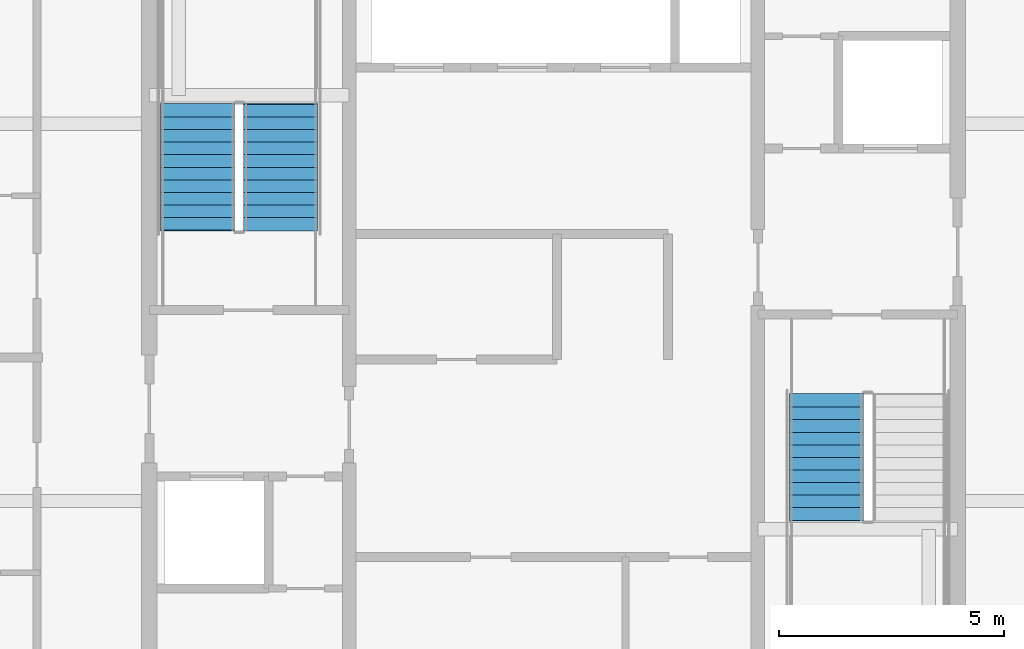
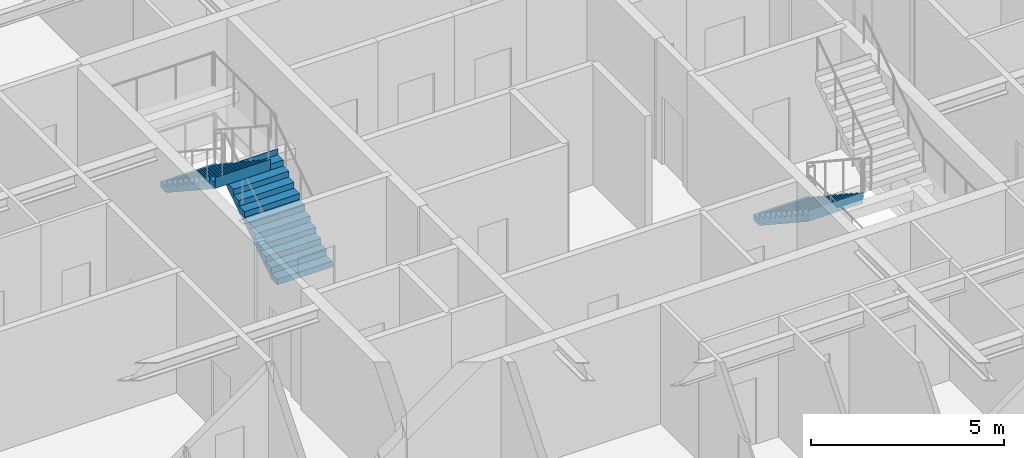
# One storey, part 34 of 40: 3 stair flights, 2 elements without a shape of their own.
"""IFC4 building model written with IfcOpenShell, lengths in metres."""

from ifc_helpers import new_model, si_unit, direction, frame, origin, place, context, subcontext, project, spatial, polygons, material, type_object, element, aggregate, save


model = new_model("IFC4")

# Units and contexts
model_context = context("Model", 3, precision=1e-05, world=origin(), true_north=direction((0.0, 1.0)))
body_context = subcontext(model_context, "Body", "Model", "MODEL_VIEW")
ifc_project = project(units=[si_unit("LENGTHUNIT", "METRE"), si_unit("AREAUNIT", "SQUARE_METRE"), si_unit("VOLUMEUNIT", "CUBIC_METRE"), si_unit("PLANEANGLEUNIT", "RADIAN"), si_unit("MASSUNIT", "GRAM", prefix="KILO")], contexts=[model_context])

# Site, building, storey
site_placement = place(None, origin())
site = spatial("IfcSite", under=ifc_project, at=site_placement, CompositionType="ELEMENT")
building_placement = place(site_placement, origin())
building = spatial("IfcBuilding", under=site, at=building_placement, Name="Serunith Strait Residences", CompositionType="ELEMENT")
storey_placement = place(building_placement, frame((0.0, 0.0, 313.699951171875)))
storey = spatial("IfcBuildingStorey", under=building, at=storey_placement, Name="L78", CompositionType="ELEMENT", Elevation=313.699951171875)

# Stair, stair flights
ifc_material = material(Name="Concrete C50/60", Category="concrete")
stair_type_1 = type_object("IfcStairType", Name="STR-CORE-1", PredefinedType="HALF_TURN_STAIR", material=ifc_material)
stair_1_placement = place(storey_placement, origin())
stair_1 = element("IfcStair", 1, at=stair_1_placement, inside=storey, type_object=stair_type_1, Name="L78 Protected Escape Stair ST-1", PredefinedType="HALF_TURN_STAIR")
stair_flight_type_1 = type_object("IfcStairFlightType", Name="FLT-CORE-1", PredefinedType="STRAIGHT", material=ifc_material)
stair_flight_1_placement = place(storey_placement, frame((26.324951171875, 27.030029296875, 0.0), z_axis=(0.0, 0.0, 1.0), x_axis=(0.0, 1.0, 0.0)))
stair_flight_1 = element("IfcStairFlight", 2, at=stair_flight_1_placement, type_object=stair_flight_type_1, Name="ST-1 flight 1", NumberOfRisers=11, NumberOfTreads=10, PredefinedType="STRAIGHT", RiserHeight=0.184090909, TreadLength=0.28, context=body_context, shape_type="Tessellation", body=[
    polygons([(-0.02001953125, -0.824951171875, 0.0), (-0.02001953125, -0.824951171875, 0.18408203125), (0.280029296875, -0.824951171875, 0.18408203125), (0.280029296875, -0.824951171875, 0.3681640625), (0.56005859375, -0.824951171875, 0.3681640625), (0.56005859375, -0.824951171875, 0.55224609375), (0.840087890625, -0.824951171875, 0.55224609375), (0.840087890625, -0.824951171875, 0.736328125), (1.1201171875, -0.824951171875, 0.736328125), (1.1201171875, -0.824951171875, 0.92041015625), (1.39990234375, -0.824951171875, 0.92041015625), (1.39990234375, -0.824951171875, 1.1044921875), (1.679931640625, -0.824951171875, 1.1044921875), (1.679931640625, -0.824951171875, 1.28857421875), (1.9599609375, -0.824951171875, 1.28857421875), (1.9599609375, -0.824951171875, 1.47265625), (2.239990234375, -0.824951171875, 1.47265625), (2.239990234375, -0.824951171875, 1.65673828125), (2.52001953125, -0.824951171875, 1.65673828125), (2.52001953125, -0.824951171875, 1.8408203125), (2.800048828125, -0.824951171875, 1.8408203125), (2.800048828125, -0.824951171875, 2.02490234375), (2.820068359375, -0.824951171875, 2.02490234375), (2.820068359375, -0.824951171875, 1.965087890625), (2.800048828125, -0.824951171875, 1.66162109375), (0.27294921875, -0.824951171875, 0.0), (-0.02001953125, -0.41259765625, 0.0), (-0.02001953125, -0.41259765625, 0.18408203125), (0.280029296875, -0.41259765625, 0.18408203125), (0.280029296875, -0.41259765625, 0.3681640625), (0.56005859375, -0.41259765625, 0.3681640625), (0.56005859375, -0.41259765625, 0.55224609375), (0.840087890625, -0.41259765625, 0.55224609375), (0.840087890625, -0.41259765625, 0.736328125), (1.1201171875, -0.41259765625, 0.736328125), (1.1201171875, -0.41259765625, 0.92041015625), (1.39990234375, -0.41259765625, 0.92041015625), (1.39990234375, -0.41259765625, 1.1044921875), (1.679931640625, -0.41259765625, 1.1044921875), (1.679931640625, -0.41259765625, 1.28857421875), (1.9599609375, -0.41259765625, 1.28857421875), (1.9599609375, -0.41259765625, 1.47265625), (2.239990234375, -0.41259765625, 1.47265625), (2.239990234375, -0.41259765625, 1.65673828125), (2.52001953125, -0.41259765625, 1.65673828125), (2.52001953125, -0.41259765625, 1.8408203125), (2.800048828125, -0.41259765625, 1.8408203125), (2.800048828125, -0.41259765625, 2.02490234375), (2.820068359375, -0.41259765625, 2.02490234375), (2.820068359375, -0.41259765625, 1.965087890625), (2.800048828125, -0.41259765625, 1.66162109375), (0.27294921875, -0.41259765625, 0.0), (-0.02001953125, 0.0, 0.0), (-0.02001953125, 0.0, 0.18408203125), (0.280029296875, 0.0, 0.18408203125), (0.280029296875, 0.0, 0.3681640625), (0.56005859375, 0.0, 0.3681640625), (0.56005859375, 0.0, 0.55224609375), (0.840087890625, 0.0, 0.55224609375), (0.840087890625, 0.0, 0.736328125), (1.1201171875, 0.0, 0.736328125), (1.1201171875, 0.0, 0.92041015625), (1.39990234375, 0.0, 0.92041015625), (1.39990234375, 0.0, 1.1044921875), (1.679931640625, 0.0, 1.1044921875), (1.679931640625, 0.0, 1.28857421875), (1.9599609375, 0.0, 1.28857421875), (1.9599609375, 0.0, 1.47265625), (2.239990234375, 0.0, 1.47265625), (2.239990234375, 0.0, 1.65673828125), (2.52001953125, 0.0, 1.65673828125), (2.52001953125, 0.0, 1.8408203125), (2.800048828125, 0.0, 1.8408203125), (2.800048828125, 0.0, 2.02490234375), (2.820068359375, 0.0, 2.02490234375), (2.820068359375, 0.0, 1.965087890625), (2.800048828125, 0.0, 1.66162109375), (0.27294921875, 0.0, 0.0), (-0.02001953125, 0.41259765625, 0.0), (-0.02001953125, 0.41259765625, 0.18408203125), (0.280029296875, 0.41259765625, 0.18408203125), (0.280029296875, 0.41259765625, 0.3681640625), (0.56005859375, 0.41259765625, 0.3681640625), (0.56005859375, 0.41259765625, 0.55224609375), (0.840087890625, 0.41259765625, 0.55224609375), (0.840087890625, 0.41259765625, 0.736328125), (1.1201171875, 0.41259765625, 0.736328125), (1.1201171875, 0.41259765625, 0.92041015625), (1.39990234375, 0.41259765625, 0.92041015625), (1.39990234375, 0.41259765625, 1.1044921875), (1.679931640625, 0.41259765625, 1.1044921875), (1.679931640625, 0.41259765625, 1.28857421875), (1.9599609375, 0.41259765625, 1.28857421875), (1.9599609375, 0.41259765625, 1.47265625), (2.239990234375, 0.41259765625, 1.47265625), (2.239990234375, 0.41259765625, 1.65673828125), (2.52001953125, 0.41259765625, 1.65673828125), (2.52001953125, 0.41259765625, 1.8408203125), (2.800048828125, 0.41259765625, 1.8408203125), (2.800048828125, 0.41259765625, 2.02490234375), (2.820068359375, 0.41259765625, 2.02490234375), (2.820068359375, 0.41259765625, 1.965087890625), (2.800048828125, 0.41259765625, 1.66162109375), (0.27294921875, 0.41259765625, 0.0), (-0.02001953125, 0.824951171875, 0.0), (-0.02001953125, 0.824951171875, 0.18408203125), (0.280029296875, 0.824951171875, 0.18408203125), (0.280029296875, 0.824951171875, 0.3681640625), (0.56005859375, 0.824951171875, 0.3681640625), (0.56005859375, 0.824951171875, 0.55224609375), (0.840087890625, 0.824951171875, 0.55224609375), (0.840087890625, 0.824951171875, 0.736328125), (1.1201171875, 0.824951171875, 0.736328125), (1.1201171875, 0.824951171875, 0.92041015625), (1.39990234375, 0.824951171875, 0.92041015625), (1.39990234375, 0.824951171875, 1.1044921875), (1.679931640625, 0.824951171875, 1.1044921875), (1.679931640625, 0.824951171875, 1.28857421875), (1.9599609375, 0.824951171875, 1.28857421875), (1.9599609375, 0.824951171875, 1.47265625), (2.239990234375, 0.824951171875, 1.47265625), (2.239990234375, 0.824951171875, 1.65673828125), (2.52001953125, 0.824951171875, 1.65673828125), (2.52001953125, 0.824951171875, 1.8408203125), (2.800048828125, 0.824951171875, 1.8408203125), (2.800048828125, 0.824951171875, 2.02490234375), (2.820068359375, 0.824951171875, 2.02490234375), (2.820068359375, 0.824951171875, 1.965087890625), (2.800048828125, 0.824951171875, 1.66162109375), (0.27294921875, 0.824951171875, 0.0)], [[[1, 2, 28, 27]], [[2, 3, 29, 28]], [[3, 4, 30, 29]], [[4, 5, 31, 30]], [[5, 6, 32, 31]], [[6, 7, 33, 32]], [[7, 8, 34, 33]], [[8, 9, 35, 34]], [[9, 10, 36, 35]], [[10, 11, 37, 36]], [[11, 12, 38, 37]], [[12, 13, 39, 38]], [[13, 14, 40, 39]], [[14, 15, 41, 40]], [[15, 16, 42, 41]], [[16, 17, 43, 42]], [[17, 18, 44, 43]], [[18, 19, 45, 44]], [[19, 20, 46, 45]], [[20, 21, 47, 46]], [[21, 22, 48, 47]], [[22, 23, 49, 48]], [[23, 24, 50, 49]], [[24, 25, 51, 50]], [[25, 26, 52, 51]], [[26, 1, 27, 52]], [[27, 28, 54, 53]], [[28, 29, 55, 54]], [[29, 30, 56, 55]], [[30, 31, 57, 56]], [[31, 32, 58, 57]], [[32, 33, 59, 58]], [[33, 34, 60, 59]], [[34, 35, 61, 60]], [[35, 36, 62, 61]], [[36, 37, 63, 62]], [[37, 38, 64, 63]], [[38, 39, 65, 64]], [[39, 40, 66, 65]], [[40, 41, 67, 66]], [[41, 42, 68, 67]], [[42, 43, 69, 68]], [[43, 44, 70, 69]], [[44, 45, 71, 70]], [[45, 46, 72, 71]], [[46, 47, 73, 72]], [[47, 48, 74, 73]], [[48, 49, 75, 74]], [[49, 50, 76, 75]], [[50, 51, 77, 76]], [[51, 52, 78, 77]], [[52, 27, 53, 78]], [[53, 54, 80, 79]], [[54, 55, 81, 80]], [[55, 56, 82, 81]], [[56, 57, 83, 82]], [[57, 58, 84, 83]], [[58, 59, 85, 84]], [[59, 60, 86, 85]], [[60, 61, 87, 86]], [[61, 62, 88, 87]], [[62, 63, 89, 88]], [[63, 64, 90, 89]], [[64, 65, 91, 90]], [[65, 66, 92, 91]], [[66, 67, 93, 92]], [[67, 68, 94, 93]], [[68, 69, 95, 94]], [[69, 70, 96, 95]], [[70, 71, 97, 96]], [[71, 72, 98, 97]], [[72, 73, 99, 98]], [[73, 74, 100, 99]], [[74, 75, 101, 100]], [[75, 76, 102, 101]], [[76, 77, 103, 102]], [[77, 78, 104, 103]], [[78, 53, 79, 104]], [[79, 80, 106, 105]], [[80, 81, 107, 106]], [[81, 82, 108, 107]], [[82, 83, 109, 108]], [[83, 84, 110, 109]], [[84, 85, 111, 110]], [[85, 86, 112, 111]], [[86, 87, 113, 112]], [[87, 88, 114, 113]], [[88, 89, 115, 114]], [[89, 90, 116, 115]], [[90, 91, 117, 116]], [[91, 92, 118, 117]], [[92, 93, 119, 118]], [[93, 94, 120, 119]], [[94, 95, 121, 120]], [[95, 96, 122, 121]], [[96, 97, 123, 122]], [[97, 98, 124, 123]], [[98, 99, 125, 124]], [[99, 100, 126, 125]], [[100, 101, 127, 126]], [[101, 102, 128, 127]], [[102, 103, 129, 128]], [[103, 104, 130, 129]], [[104, 79, 105, 130]], [[26, 25, 24, 23, 22, 21, 20, 19, 18, 17, 16, 15, 14, 13, 12, 11, 10, 9, 8, 7, 6, 5, 4, 3, 2, 1]], [[105, 106, 107, 108, 109, 110, 111, 112, 113, 114, 115, 116, 117, 118, 119, 120, 121, 122, 123, 124, 125, 126, 127, 128, 129, 130]]], closed=True),
])
stair_flight_2_placement = place(storey_placement, frame((24.47509765625, 29.830078125, 2.025146484375), z_axis=(0.0, 0.0, 1.0), x_axis=(0.0, -1.0, 0.0)))
stair_flight_2 = element("IfcStairFlight", 3, at=stair_flight_2_placement, type_object=stair_flight_type_1, Name="ST-1 flight 2", NumberOfRisers=11, NumberOfTreads=10, PredefinedType="STRAIGHT", RiserHeight=0.184090909, TreadLength=0.28, context=body_context, shape_type="Tessellation", body=[
    polygons([(-0.02001953125, -0.824951171875, 0.0), (-0.02001953125, -0.824951171875, 0.18408203125), (0.280029296875, -0.824951171875, 0.18408203125), (0.280029296875, -0.824951171875, 0.3681640625), (0.56005859375, -0.824951171875, 0.3681640625), (0.56005859375, -0.824951171875, 0.55224609375), (0.840087890625, -0.824951171875, 0.55224609375), (0.840087890625, -0.824951171875, 0.736328125), (1.1201171875, -0.824951171875, 0.736328125), (1.1201171875, -0.824951171875, 0.92041015625), (1.39990234375, -0.824951171875, 0.92041015625), (1.39990234375, -0.824951171875, 1.1044921875), (1.679931640625, -0.824951171875, 1.1044921875), (1.679931640625, -0.824951171875, 1.28857421875), (1.9599609375, -0.824951171875, 1.28857421875), (1.9599609375, -0.824951171875, 1.47265625), (2.239990234375, -0.824951171875, 1.47265625), (2.239990234375, -0.824951171875, 1.65673828125), (2.52001953125, -0.824951171875, 1.65673828125), (2.52001953125, -0.824951171875, 1.8408203125), (2.800048828125, -0.824951171875, 1.8408203125), (2.800048828125, -0.824951171875, 2.02490234375), (2.820068359375, -0.824951171875, 2.02490234375), (2.820068359375, -0.824951171875, 1.965087890625), (2.800048828125, -0.824951171875, 1.66162109375), (0.27294921875, -0.824951171875, 0.0), (-0.02001953125, -0.41259765625, 0.0), (-0.02001953125, -0.41259765625, 0.18408203125), (0.280029296875, -0.41259765625, 0.18408203125), (0.280029296875, -0.41259765625, 0.3681640625), (0.56005859375, -0.41259765625, 0.3681640625), (0.56005859375, -0.41259765625, 0.55224609375), (0.840087890625, -0.41259765625, 0.55224609375), (0.840087890625, -0.41259765625, 0.736328125), (1.1201171875, -0.41259765625, 0.736328125), (1.1201171875, -0.41259765625, 0.92041015625), (1.39990234375, -0.41259765625, 0.92041015625), (1.39990234375, -0.41259765625, 1.1044921875), (1.679931640625, -0.41259765625, 1.1044921875), (1.679931640625, -0.41259765625, 1.28857421875), (1.9599609375, -0.41259765625, 1.28857421875), (1.9599609375, -0.41259765625, 1.47265625), (2.239990234375, -0.41259765625, 1.47265625), (2.239990234375, -0.41259765625, 1.65673828125), (2.52001953125, -0.41259765625, 1.65673828125), (2.52001953125, -0.41259765625, 1.8408203125), (2.800048828125, -0.41259765625, 1.8408203125), (2.800048828125, -0.41259765625, 2.02490234375), (2.820068359375, -0.41259765625, 2.02490234375), (2.820068359375, -0.41259765625, 1.965087890625), (2.800048828125, -0.41259765625, 1.66162109375), (0.27294921875, -0.41259765625, 0.0), (-0.02001953125, 0.0, 0.0), (-0.02001953125, 0.0, 0.18408203125), (0.280029296875, 0.0, 0.18408203125), (0.280029296875, 0.0, 0.3681640625), (0.56005859375, 0.0, 0.3681640625), (0.56005859375, 0.0, 0.55224609375), (0.840087890625, 0.0, 0.55224609375), (0.840087890625, 0.0, 0.736328125), (1.1201171875, 0.0, 0.736328125), (1.1201171875, 0.0, 0.92041015625), (1.39990234375, 0.0, 0.92041015625), (1.39990234375, 0.0, 1.1044921875), (1.679931640625, 0.0, 1.1044921875), (1.679931640625, 0.0, 1.28857421875), (1.9599609375, 0.0, 1.28857421875), (1.9599609375, 0.0, 1.47265625), (2.239990234375, 0.0, 1.47265625), (2.239990234375, 0.0, 1.65673828125), (2.52001953125, 0.0, 1.65673828125), (2.52001953125, 0.0, 1.8408203125), (2.800048828125, 0.0, 1.8408203125), (2.800048828125, 0.0, 2.02490234375), (2.820068359375, 0.0, 2.02490234375), (2.820068359375, 0.0, 1.965087890625), (2.800048828125, 0.0, 1.66162109375), (0.27294921875, 0.0, 0.0), (-0.02001953125, 0.41259765625, 0.0), (-0.02001953125, 0.41259765625, 0.18408203125), (0.280029296875, 0.41259765625, 0.18408203125), (0.280029296875, 0.41259765625, 0.3681640625), (0.56005859375, 0.41259765625, 0.3681640625), (0.56005859375, 0.41259765625, 0.55224609375), (0.840087890625, 0.41259765625, 0.55224609375), (0.840087890625, 0.41259765625, 0.736328125), (1.1201171875, 0.41259765625, 0.736328125), (1.1201171875, 0.41259765625, 0.92041015625), (1.39990234375, 0.41259765625, 0.92041015625), (1.39990234375, 0.41259765625, 1.1044921875), (1.679931640625, 0.41259765625, 1.1044921875), (1.679931640625, 0.41259765625, 1.28857421875), (1.9599609375, 0.41259765625, 1.28857421875), (1.9599609375, 0.41259765625, 1.47265625), (2.239990234375, 0.41259765625, 1.47265625), (2.239990234375, 0.41259765625, 1.65673828125), (2.52001953125, 0.41259765625, 1.65673828125), (2.52001953125, 0.41259765625, 1.8408203125), (2.800048828125, 0.41259765625, 1.8408203125), (2.800048828125, 0.41259765625, 2.02490234375), (2.820068359375, 0.41259765625, 2.02490234375), (2.820068359375, 0.41259765625, 1.965087890625), (2.800048828125, 0.41259765625, 1.66162109375), (0.27294921875, 0.41259765625, 0.0), (-0.02001953125, 0.824951171875, 0.0), (-0.02001953125, 0.824951171875, 0.18408203125), (0.280029296875, 0.824951171875, 0.18408203125), (0.280029296875, 0.824951171875, 0.3681640625), (0.56005859375, 0.824951171875, 0.3681640625), (0.56005859375, 0.824951171875, 0.55224609375), (0.840087890625, 0.824951171875, 0.55224609375), (0.840087890625, 0.824951171875, 0.736328125), (1.1201171875, 0.824951171875, 0.736328125), (1.1201171875, 0.824951171875, 0.92041015625), (1.39990234375, 0.824951171875, 0.92041015625), (1.39990234375, 0.824951171875, 1.1044921875), (1.679931640625, 0.824951171875, 1.1044921875), (1.679931640625, 0.824951171875, 1.28857421875), (1.9599609375, 0.824951171875, 1.28857421875), (1.9599609375, 0.824951171875, 1.47265625), (2.239990234375, 0.824951171875, 1.47265625), (2.239990234375, 0.824951171875, 1.65673828125), (2.52001953125, 0.824951171875, 1.65673828125), (2.52001953125, 0.824951171875, 1.8408203125), (2.800048828125, 0.824951171875, 1.8408203125), (2.800048828125, 0.824951171875, 2.02490234375), (2.820068359375, 0.824951171875, 2.02490234375), (2.820068359375, 0.824951171875, 1.965087890625), (2.800048828125, 0.824951171875, 1.66162109375), (0.27294921875, 0.824951171875, 0.0)], [[[1, 2, 28, 27]], [[2, 3, 29, 28]], [[3, 4, 30, 29]], [[4, 5, 31, 30]], [[5, 6, 32, 31]], [[6, 7, 33, 32]], [[7, 8, 34, 33]], [[8, 9, 35, 34]], [[9, 10, 36, 35]], [[10, 11, 37, 36]], [[11, 12, 38, 37]], [[12, 13, 39, 38]], [[13, 14, 40, 39]], [[14, 15, 41, 40]], [[15, 16, 42, 41]], [[16, 17, 43, 42]], [[17, 18, 44, 43]], [[18, 19, 45, 44]], [[19, 20, 46, 45]], [[20, 21, 47, 46]], [[21, 22, 48, 47]], [[22, 23, 49, 48]], [[23, 24, 50, 49]], [[24, 25, 51, 50]], [[25, 26, 52, 51]], [[26, 1, 27, 52]], [[27, 28, 54, 53]], [[28, 29, 55, 54]], [[29, 30, 56, 55]], [[30, 31, 57, 56]], [[31, 32, 58, 57]], [[32, 33, 59, 58]], [[33, 34, 60, 59]], [[34, 35, 61, 60]], [[35, 36, 62, 61]], [[36, 37, 63, 62]], [[37, 38, 64, 63]], [[38, 39, 65, 64]], [[39, 40, 66, 65]], [[40, 41, 67, 66]], [[41, 42, 68, 67]], [[42, 43, 69, 68]], [[43, 44, 70, 69]], [[44, 45, 71, 70]], [[45, 46, 72, 71]], [[46, 47, 73, 72]], [[47, 48, 74, 73]], [[48, 49, 75, 74]], [[49, 50, 76, 75]], [[50, 51, 77, 76]], [[51, 52, 78, 77]], [[52, 27, 53, 78]], [[53, 54, 80, 79]], [[54, 55, 81, 80]], [[55, 56, 82, 81]], [[56, 57, 83, 82]], [[57, 58, 84, 83]], [[58, 59, 85, 84]], [[59, 60, 86, 85]], [[60, 61, 87, 86]], [[61, 62, 88, 87]], [[62, 63, 89, 88]], [[63, 64, 90, 89]], [[64, 65, 91, 90]], [[65, 66, 92, 91]], [[66, 67, 93, 92]], [[67, 68, 94, 93]], [[68, 69, 95, 94]], [[69, 70, 96, 95]], [[70, 71, 97, 96]], [[71, 72, 98, 97]], [[72, 73, 99, 98]], [[73, 74, 100, 99]], [[74, 75, 101, 100]], [[75, 76, 102, 101]], [[76, 77, 103, 102]], [[77, 78, 104, 103]], [[78, 53, 79, 104]], [[79, 80, 106, 105]], [[80, 81, 107, 106]], [[81, 82, 108, 107]], [[82, 83, 109, 108]], [[83, 84, 110, 109]], [[84, 85, 111, 110]], [[85, 86, 112, 111]], [[86, 87, 113, 112]], [[87, 88, 114, 113]], [[88, 89, 115, 114]], [[89, 90, 116, 115]], [[90, 91, 117, 116]], [[91, 92, 118, 117]], [[92, 93, 119, 118]], [[93, 94, 120, 119]], [[94, 95, 121, 120]], [[95, 96, 122, 121]], [[96, 97, 123, 122]], [[97, 98, 124, 123]], [[98, 99, 125, 124]], [[99, 100, 126, 125]], [[100, 101, 127, 126]], [[101, 102, 128, 127]], [[102, 103, 129, 128]], [[103, 104, 130, 129]], [[104, 79, 105, 130]], [[26, 25, 24, 23, 22, 21, 20, 19, 18, 17, 16, 15, 14, 13, 12, 11, 10, 9, 8, 7, 6, 5, 4, 3, 2, 1]], [[105, 106, 107, 108, 109, 110, 111, 112, 113, 114, 115, 116, 117, 118, 119, 120, 121, 122, 123, 124, 125, 126, 127, 128, 129, 130]]], closed=True),
])
aggregate(stair_1, [stair_flight_1, stair_flight_2])

# Stair, stair flight
stair_type_2 = type_object("IfcStairType", Name="STR-CORE-2", PredefinedType="HALF_TURN_STAIR", material=ifc_material)
stair_2_placement = place(storey_placement, origin())
stair_2 = element("IfcStair", 4, at=stair_2_placement, inside=storey, type_object=stair_type_2, Name="L78 Protected Escape Stair ST-2", PredefinedType="HALF_TURN_STAIR")
stair_flight_type_2 = type_object("IfcStairFlightType", Name="FLT-CORE-2", PredefinedType="STRAIGHT", material=ifc_material)
stair_flight_3_placement = place(storey_placement, frame((38.47509765625, 23.3701171875, 0.0), z_axis=(0.0, 0.0, 1.0), x_axis=(0.0, -1.0, 0.0)))
stair_flight_3 = element("IfcStairFlight", 5, at=stair_flight_3_placement, type_object=stair_flight_type_2, Name="ST-2 flight 1", NumberOfRisers=11, NumberOfTreads=10, PredefinedType="STRAIGHT", RiserHeight=0.184090909, TreadLength=0.28, context=body_context, shape_type="Tessellation", body=[
    polygons([(-0.02001953125, -0.824951171875, 0.0), (-0.02001953125, -0.824951171875, 0.18408203125), (0.280029296875, -0.824951171875, 0.18408203125), (0.280029296875, -0.824951171875, 0.3681640625), (0.56005859375, -0.824951171875, 0.3681640625), (0.56005859375, -0.824951171875, 0.55224609375), (0.840087890625, -0.824951171875, 0.55224609375), (0.840087890625, -0.824951171875, 0.736328125), (1.1201171875, -0.824951171875, 0.736328125), (1.1201171875, -0.824951171875, 0.92041015625), (1.39990234375, -0.824951171875, 0.92041015625), (1.39990234375, -0.824951171875, 1.1044921875), (1.679931640625, -0.824951171875, 1.1044921875), (1.679931640625, -0.824951171875, 1.28857421875), (1.9599609375, -0.824951171875, 1.28857421875), (1.9599609375, -0.824951171875, 1.47265625), (2.239990234375, -0.824951171875, 1.47265625), (2.239990234375, -0.824951171875, 1.65673828125), (2.52001953125, -0.824951171875, 1.65673828125), (2.52001953125, -0.824951171875, 1.8408203125), (2.800048828125, -0.824951171875, 1.8408203125), (2.800048828125, -0.824951171875, 2.02490234375), (2.820068359375, -0.824951171875, 2.02490234375), (2.820068359375, -0.824951171875, 1.965087890625), (2.800048828125, -0.824951171875, 1.66162109375), (0.27294921875, -0.824951171875, 0.0), (-0.02001953125, -0.41259765625, 0.0), (-0.02001953125, -0.41259765625, 0.18408203125), (0.280029296875, -0.41259765625, 0.18408203125), (0.280029296875, -0.41259765625, 0.3681640625), (0.56005859375, -0.41259765625, 0.3681640625), (0.56005859375, -0.41259765625, 0.55224609375), (0.840087890625, -0.41259765625, 0.55224609375), (0.840087890625, -0.41259765625, 0.736328125), (1.1201171875, -0.41259765625, 0.736328125), (1.1201171875, -0.41259765625, 0.92041015625), (1.39990234375, -0.41259765625, 0.92041015625), (1.39990234375, -0.41259765625, 1.1044921875), (1.679931640625, -0.41259765625, 1.1044921875), (1.679931640625, -0.41259765625, 1.28857421875), (1.9599609375, -0.41259765625, 1.28857421875), (1.9599609375, -0.41259765625, 1.47265625), (2.239990234375, -0.41259765625, 1.47265625), (2.239990234375, -0.41259765625, 1.65673828125), (2.52001953125, -0.41259765625, 1.65673828125), (2.52001953125, -0.41259765625, 1.8408203125), (2.800048828125, -0.41259765625, 1.8408203125), (2.800048828125, -0.41259765625, 2.02490234375), (2.820068359375, -0.41259765625, 2.02490234375), (2.820068359375, -0.41259765625, 1.965087890625), (2.800048828125, -0.41259765625, 1.66162109375), (0.27294921875, -0.41259765625, 0.0), (-0.02001953125, 0.0, 0.0), (-0.02001953125, 0.0, 0.18408203125), (0.280029296875, 0.0, 0.18408203125), (0.280029296875, 0.0, 0.3681640625), (0.56005859375, 0.0, 0.3681640625), (0.56005859375, 0.0, 0.55224609375), (0.840087890625, 0.0, 0.55224609375), (0.840087890625, 0.0, 0.736328125), (1.1201171875, 0.0, 0.736328125), (1.1201171875, 0.0, 0.92041015625), (1.39990234375, 0.0, 0.92041015625), (1.39990234375, 0.0, 1.1044921875), (1.679931640625, 0.0, 1.1044921875), (1.679931640625, 0.0, 1.28857421875), (1.9599609375, 0.0, 1.28857421875), (1.9599609375, 0.0, 1.47265625), (2.239990234375, 0.0, 1.47265625), (2.239990234375, 0.0, 1.65673828125), (2.52001953125, 0.0, 1.65673828125), (2.52001953125, 0.0, 1.8408203125), (2.800048828125, 0.0, 1.8408203125), (2.800048828125, 0.0, 2.02490234375), (2.820068359375, 0.0, 2.02490234375), (2.820068359375, 0.0, 1.965087890625), (2.800048828125, 0.0, 1.66162109375), (0.27294921875, 0.0, 0.0), (-0.02001953125, 0.41259765625, 0.0), (-0.02001953125, 0.41259765625, 0.18408203125), (0.280029296875, 0.41259765625, 0.18408203125), (0.280029296875, 0.41259765625, 0.3681640625), (0.56005859375, 0.41259765625, 0.3681640625), (0.56005859375, 0.41259765625, 0.55224609375), (0.840087890625, 0.41259765625, 0.55224609375), (0.840087890625, 0.41259765625, 0.736328125), (1.1201171875, 0.41259765625, 0.736328125), (1.1201171875, 0.41259765625, 0.92041015625), (1.39990234375, 0.41259765625, 0.92041015625), (1.39990234375, 0.41259765625, 1.1044921875), (1.679931640625, 0.41259765625, 1.1044921875), (1.679931640625, 0.41259765625, 1.28857421875), (1.9599609375, 0.41259765625, 1.28857421875), (1.9599609375, 0.41259765625, 1.47265625), (2.239990234375, 0.41259765625, 1.47265625), (2.239990234375, 0.41259765625, 1.65673828125), (2.52001953125, 0.41259765625, 1.65673828125), (2.52001953125, 0.41259765625, 1.8408203125), (2.800048828125, 0.41259765625, 1.8408203125), (2.800048828125, 0.41259765625, 2.02490234375), (2.820068359375, 0.41259765625, 2.02490234375), (2.820068359375, 0.41259765625, 1.965087890625), (2.800048828125, 0.41259765625, 1.66162109375), (0.27294921875, 0.41259765625, 0.0), (-0.02001953125, 0.824951171875, 0.0), (-0.02001953125, 0.824951171875, 0.18408203125), (0.280029296875, 0.824951171875, 0.18408203125), (0.280029296875, 0.824951171875, 0.3681640625), (0.56005859375, 0.824951171875, 0.3681640625), (0.56005859375, 0.824951171875, 0.55224609375), (0.840087890625, 0.824951171875, 0.55224609375), (0.840087890625, 0.824951171875, 0.736328125), (1.1201171875, 0.824951171875, 0.736328125), (1.1201171875, 0.824951171875, 0.92041015625), (1.39990234375, 0.824951171875, 0.92041015625), (1.39990234375, 0.824951171875, 1.1044921875), (1.679931640625, 0.824951171875, 1.1044921875), (1.679931640625, 0.824951171875, 1.28857421875), (1.9599609375, 0.824951171875, 1.28857421875), (1.9599609375, 0.824951171875, 1.47265625), (2.239990234375, 0.824951171875, 1.47265625), (2.239990234375, 0.824951171875, 1.65673828125), (2.52001953125, 0.824951171875, 1.65673828125), (2.52001953125, 0.824951171875, 1.8408203125), (2.800048828125, 0.824951171875, 1.8408203125), (2.800048828125, 0.824951171875, 2.02490234375), (2.820068359375, 0.824951171875, 2.02490234375), (2.820068359375, 0.824951171875, 1.965087890625), (2.800048828125, 0.824951171875, 1.66162109375), (0.27294921875, 0.824951171875, 0.0)], [[[1, 2, 28, 27]], [[2, 3, 29, 28]], [[3, 4, 30, 29]], [[4, 5, 31, 30]], [[5, 6, 32, 31]], [[6, 7, 33, 32]], [[7, 8, 34, 33]], [[8, 9, 35, 34]], [[9, 10, 36, 35]], [[10, 11, 37, 36]], [[11, 12, 38, 37]], [[12, 13, 39, 38]], [[13, 14, 40, 39]], [[14, 15, 41, 40]], [[15, 16, 42, 41]], [[16, 17, 43, 42]], [[17, 18, 44, 43]], [[18, 19, 45, 44]], [[19, 20, 46, 45]], [[20, 21, 47, 46]], [[21, 22, 48, 47]], [[22, 23, 49, 48]], [[23, 24, 50, 49]], [[24, 25, 51, 50]], [[25, 26, 52, 51]], [[26, 1, 27, 52]], [[27, 28, 54, 53]], [[28, 29, 55, 54]], [[29, 30, 56, 55]], [[30, 31, 57, 56]], [[31, 32, 58, 57]], [[32, 33, 59, 58]], [[33, 34, 60, 59]], [[34, 35, 61, 60]], [[35, 36, 62, 61]], [[36, 37, 63, 62]], [[37, 38, 64, 63]], [[38, 39, 65, 64]], [[39, 40, 66, 65]], [[40, 41, 67, 66]], [[41, 42, 68, 67]], [[42, 43, 69, 68]], [[43, 44, 70, 69]], [[44, 45, 71, 70]], [[45, 46, 72, 71]], [[46, 47, 73, 72]], [[47, 48, 74, 73]], [[48, 49, 75, 74]], [[49, 50, 76, 75]], [[50, 51, 77, 76]], [[51, 52, 78, 77]], [[52, 27, 53, 78]], [[53, 54, 80, 79]], [[54, 55, 81, 80]], [[55, 56, 82, 81]], [[56, 57, 83, 82]], [[57, 58, 84, 83]], [[58, 59, 85, 84]], [[59, 60, 86, 85]], [[60, 61, 87, 86]], [[61, 62, 88, 87]], [[62, 63, 89, 88]], [[63, 64, 90, 89]], [[64, 65, 91, 90]], [[65, 66, 92, 91]], [[66, 67, 93, 92]], [[67, 68, 94, 93]], [[68, 69, 95, 94]], [[69, 70, 96, 95]], [[70, 71, 97, 96]], [[71, 72, 98, 97]], [[72, 73, 99, 98]], [[73, 74, 100, 99]], [[74, 75, 101, 100]], [[75, 76, 102, 101]], [[76, 77, 103, 102]], [[77, 78, 104, 103]], [[78, 53, 79, 104]], [[79, 80, 106, 105]], [[80, 81, 107, 106]], [[81, 82, 108, 107]], [[82, 83, 109, 108]], [[83, 84, 110, 109]], [[84, 85, 111, 110]], [[85, 86, 112, 111]], [[86, 87, 113, 112]], [[87, 88, 114, 113]], [[88, 89, 115, 114]], [[89, 90, 116, 115]], [[90, 91, 117, 116]], [[91, 92, 118, 117]], [[92, 93, 119, 118]], [[93, 94, 120, 119]], [[94, 95, 121, 120]], [[95, 96, 122, 121]], [[96, 97, 123, 122]], [[97, 98, 124, 123]], [[98, 99, 125, 124]], [[99, 100, 126, 125]], [[100, 101, 127, 126]], [[101, 102, 128, 127]], [[102, 103, 129, 128]], [[103, 104, 130, 129]], [[104, 79, 105, 130]], [[26, 25, 24, 23, 22, 21, 20, 19, 18, 17, 16, 15, 14, 13, 12, 11, 10, 9, 8, 7, 6, 5, 4, 3, 2, 1]], [[105, 106, 107, 108, 109, 110, 111, 112, 113, 114, 115, 116, 117, 118, 119, 120, 121, 122, 123, 124, 125, 126, 127, 128, 129, 130]]], closed=True),
])
aggregate(stair_2, [stair_flight_3])

save(model, "model.ifc")
